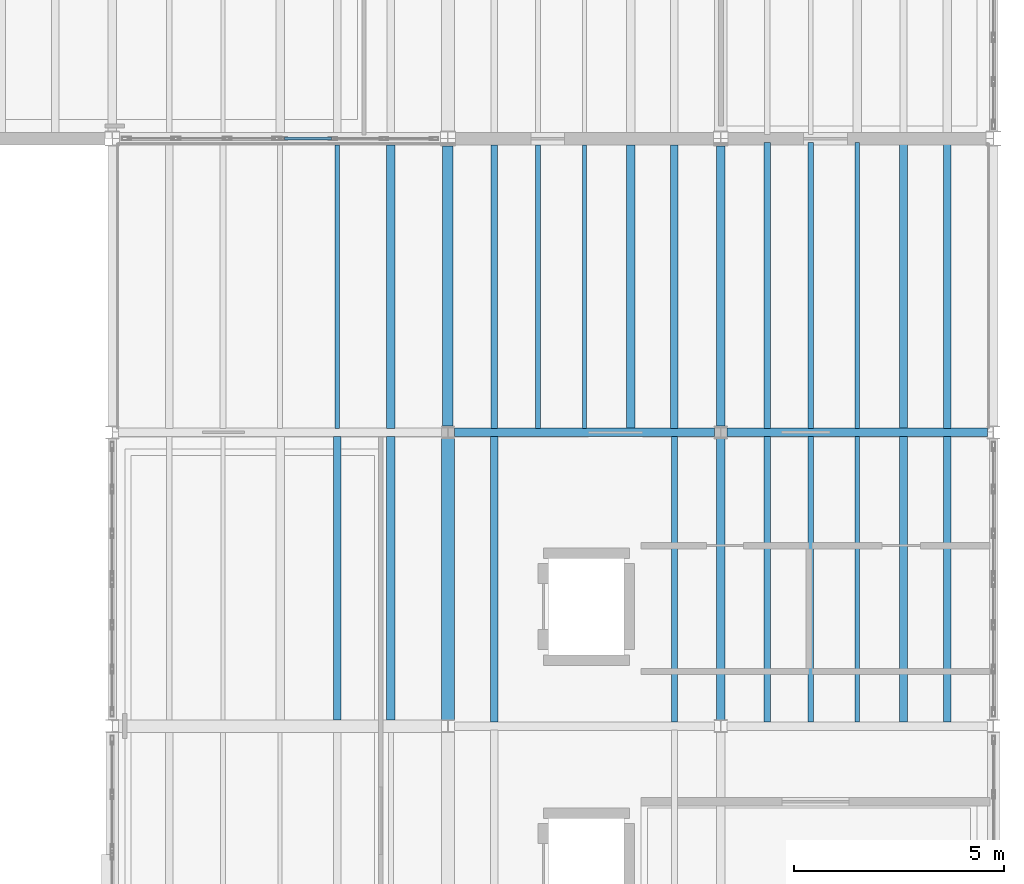
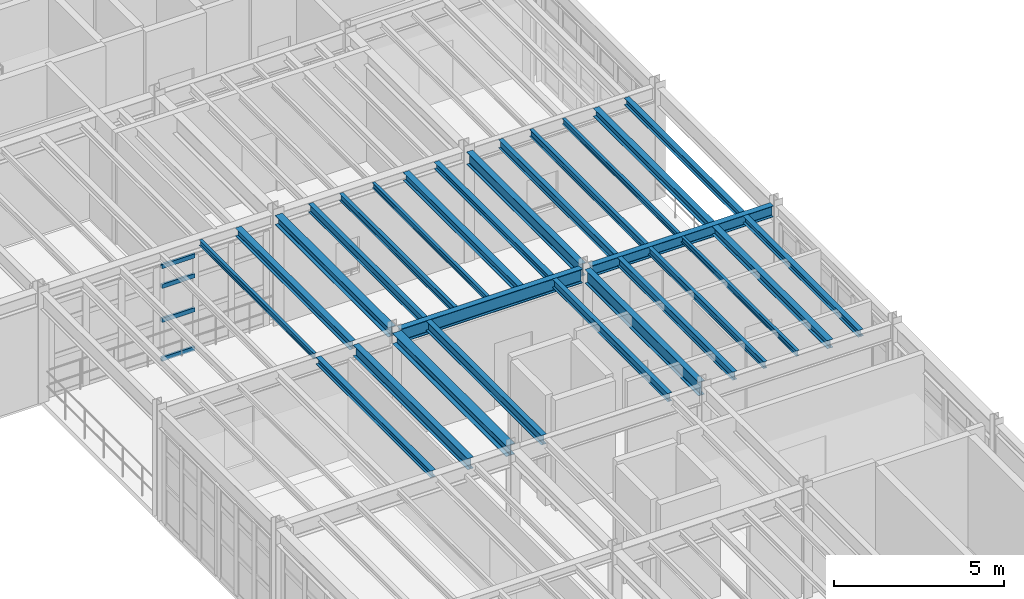
# One storey, part 13 of 27: 27 beams, 4 members, 1 element without a shape of its own.
"""IFC4 building model written with IfcOpenShell, lengths in metres."""

import ifcopenshell
import ifcopenshell.guid

model = None  # the IFC model being written
_history = None  # IfcOwnerHistory: only IFC2X3 demands one
_inside = {}  # id of a spatial element -> (the spatial element, [elements in it])
_under = {}  # id of a project, library or spatial element -> (it, [spatial elements below it])
_declared = {}  # id of a project -> (the project, [libraries it declares])
_typed = {}  # id of a type object -> (the type object, [elements of that type])
_made_of = {}  # id of a material, layer set ... -> (it, [elements and type objects made of it])


def new_model(schema):
    """Start an empty IFC model of exactly this schema.

    Asked for "IFC4X3", IfcOpenShell would pick the latest addendum, in which some entities
    have other attributes; the version numbers below select the first issue.
    IFC2X3 requires an IfcOwnerHistory on every rooted entity: one is made here for all.
    """
    global model, _history
    if schema == "IFC4X3":
        model = ifcopenshell.file(schema_version=(4, 3, 0, 0))
    else:
        model = ifcopenshell.file(schema=schema)
    _inside.clear()
    _under.clear()
    _declared.clear()
    _typed.clear()
    _made_of.clear()
    _history = None
    if model.schema == "IFC2X3":
        org = make("IfcOrganization", Name="unknown")
        user = make(
            "IfcPersonAndOrganization",
            ThePerson=make("IfcPerson", FamilyName="unknown"),
            TheOrganization=org,
        )
        app = make(
            "IfcApplication",
            ApplicationDeveloper=org,
            Version="unknown",
            ApplicationFullName="unknown",
            ApplicationIdentifier="unknown",
        )
        _history = make(
            "IfcOwnerHistory",
            OwningUser=user,
            OwningApplication=app,
            ChangeAction="ADDED",
            CreationDate=0,
        )
    return model


def make(cls, **values):
    """One entity of the class cls with the attributes given. An attribute that is None is left unset."""
    return model.create_entity(
        cls, **{name: value for name, value in values.items() if value is not None}
    )


def rooted(cls, **values):
    """An entity with a GlobalId (a new one), such as an element, a storey or a relation."""
    return make(cls, GlobalId=ifcopenshell.guid.new(), OwnerHistory=_history, **values)


def si_unit(unit_type, name, prefix=None):
    """IfcSIUnit, for example si_unit("LENGTHUNIT", "METRE", prefix="MILLI")."""
    return make("IfcSIUnit", UnitType=unit_type, Prefix=prefix, Name=name)


def assignment(units):
    """IfcUnitAssignment: the units of a project."""
    return None if units is None else make("IfcUnitAssignment", Units=units)


def point(xyz):
    """IfcCartesianPoint."""
    return None if xyz is None else make("IfcCartesianPoint", Coordinates=xyz)


def direction(xyz):
    """IfcDirection."""
    return None if xyz is None else make("IfcDirection", DirectionRatios=xyz)


def frame(location, z_axis=None, x_axis=None):
    """IfcAxis2Placement3D, a coordinate frame: its origin and axes. An axis left out is left unset."""
    return make(
        "IfcAxis2Placement3D",
        Location=point(location),
        Axis=direction(z_axis),
        RefDirection=direction(x_axis),
    )


def frame_2d(location, x_axis=None):
    """IfcAxis2Placement2D, a coordinate frame in the plane: its origin and x axis."""
    return make(
        "IfcAxis2Placement2D", Location=point(location), RefDirection=direction(x_axis)
    )


def origin():
    """The frame at (0, 0, 0) with its axes left unset."""
    return frame((0.0, 0.0, 0.0))


def origin_2d():
    """The frame at (0, 0) in the plane with its x axis left unset."""
    return frame_2d((0.0, 0.0))


def place(relative_to, where):
    """IfcLocalPlacement: puts the frame where relative to a parent placement (None: the world)."""
    return make(
        "IfcLocalPlacement", PlacementRelTo=relative_to, RelativePlacement=where
    )


def context(
    kind, dimensions, precision=None, world=None, true_north=None, identifier=None
):
    """IfcGeometricRepresentationContext, for example the 3D "Model" context."""
    return make(
        "IfcGeometricRepresentationContext",
        ContextIdentifier=identifier,
        ContextType=kind,
        CoordinateSpaceDimension=dimensions,
        Precision=precision,
        WorldCoordinateSystem=world,
        TrueNorth=true_north,
    )


def subcontext(parent, identifier, kind, view, scale=None):
    """IfcGeometricRepresentationSubContext, for example "Body" below "Model"."""
    return make(
        "IfcGeometricRepresentationSubContext",
        ContextIdentifier=identifier,
        ContextType=kind,
        ParentContext=parent,
        TargetScale=scale,
        TargetView=view,
    )


def project(units=None, contexts=None):
    """IfcProject with its units and contexts."""
    return rooted(
        "IfcProject",
        Name="project",
        RepresentationContexts=contexts,
        UnitsInContext=assignment(units),
    )


def spatial(cls, under=None, at=None, **own):
    """A site, building, storey or space (cls), placed at a placement, below another one or the project."""
    s = rooted(cls, ObjectPlacement=at, **own)
    if under is not None:
        _under.setdefault(under.id(), (under, []))[1].append(s)
    return s


def profile(cls, at=None, kind="AREA", **sizes):
    """A parametric profile (cls). Its sizes go by their IFC names, for example OverallWidth=200.0."""
    return make(cls, ProfileType=kind, Position=at, **sizes)


def hollow_rectangle(**sizes):
    """IfcRectangleHollowProfileDef."""
    return profile("IfcRectangleHollowProfileDef", **sizes)


def i_section(**sizes):
    """IfcIShapeProfileDef."""
    return profile("IfcIShapeProfileDef", **sizes)


def extrude(swept, where, along, depth):
    """IfcExtrudedAreaSolid: the profile swept, set in the frame where, extruded along a direction by depth."""
    return make(
        "IfcExtrudedAreaSolid",
        SweptArea=swept,
        Position=where,
        ExtrudedDirection=direction(along),
        Depth=depth,
    )


def shape(context_of_items, identifier, shape_type, items):
    """IfcShapeRepresentation: the items that make up one representation, for example the "Body"."""
    return make(
        "IfcShapeRepresentation",
        ContextOfItems=context_of_items,
        RepresentationIdentifier=identifier,
        RepresentationType=shape_type,
        Items=items,
    )


def material(Name=None, Category=None):
    """IfcMaterial."""
    return make("IfcMaterial", Name=Name, Category=Category)


def material_profile(
    of_material, cross_section, Name=None, Category=None, Priority=None
):
    """IfcMaterialProfile: a cross section and its material."""
    return make(
        "IfcMaterialProfile",
        Name=Name,
        Material=of_material,
        Profile=cross_section,
        Priority=Priority,
        Category=Category,
    )


def profile_set(profiles, Name=None, composite=None):
    """IfcMaterialProfileSet."""
    return make(
        "IfcMaterialProfileSet",
        Name=Name,
        MaterialProfiles=profiles,
        CompositeProfile=composite,
    )


def made_of(thing, what):
    """Note that an element or type object is made of a material, layer set ...; save() writes the relation."""
    if what is not None:
        _made_of.setdefault(what.id(), (what, []))[1].append(thing)
    return thing


def type_object(cls, material=None, **own):
    """A type object (cls), such as IfcWallType, which elements share."""
    return made_of(rooted(cls, **own), material)


def element(
    cls,
    number,
    at=None,
    inside=None,
    cuts=None,
    type_object=None,
    material=None,
    context=None,
    identifier="Body",
    shape_type=None,
    held_by="IfcProductDefinitionShape",
    body=None,
    shapes=None,
    **own,
):
    """One element of the class cls, such as IfcWall. Its Tag is "e" and its number.

    at: its placement. inside: the storey or other place that contains it. cuts: it is an
    opening in that element (IfcRelVoidsElement). A single representation is given by context,
    identifier, shape_type and body (its items); several are given by shapes. held_by: the class
    of the entity that holds the representations. save() writes the other relations.
    """
    e = rooted(cls, Tag="e%d" % number, ObjectPlacement=at, **own)
    if body is not None:
        shapes = [shape(context, identifier, shape_type, body)]
    if shapes is not None:
        e.Representation = make(held_by, Representations=shapes)
    if inside is not None:
        _inside.setdefault(inside.id(), (inside, []))[1].append(e)
    if cuts is not None:
        rooted(
            "IfcRelVoidsElement", RelatingBuildingElement=cuts, RelatedOpeningElement=e
        )
    if type_object is not None:
        _typed.setdefault(type_object.id(), (type_object, []))[1].append(e)
    return made_of(e, material)


def aggregate(whole, parts):
    """IfcRelAggregates: a whole, such as a stair, and the parts it consists of."""
    return rooted("IfcRelAggregates", RelatingObject=whole, RelatedObjects=parts)


def save(model, path):
    """Write the relations noted so far, then the file.

    IfcRelAggregates (storeys below a building ...), IfcRelContainedInSpatialStructure (elements
    in a storey), IfcRelDefinesByType, IfcRelAssociatesMaterial and IfcRelDeclares: one each for
    every whole, place, type object, material and project.
    """
    for whole, parts in _under.values():
        aggregate(whole, parts)
    for where, things in _inside.values():
        rooted(
            "IfcRelContainedInSpatialStructure",
            RelatedElements=things,
            RelatingStructure=where,
        )
    for kind, things in _typed.values():
        rooted("IfcRelDefinesByType", RelatedObjects=things, RelatingType=kind)
    for what, things in _made_of.values():
        rooted("IfcRelAssociatesMaterial", RelatedObjects=things, RelatingMaterial=what)
    for by, libraries in _declared.values():
        rooted("IfcRelDeclares", RelatingContext=by, RelatedDefinitions=libraries)
    model.write(path)


model = new_model("IFC4")

# Units and contexts
model_context = context("Model", 3, precision=1e-05, world=origin(), true_north=direction((0.0, 1.0)))
body_context = subcontext(model_context, "Body", "Model", "MODEL_VIEW")
ifc_project = project(units=[si_unit("LENGTHUNIT", "METRE"), si_unit("AREAUNIT", "SQUARE_METRE"), si_unit("VOLUMEUNIT", "CUBIC_METRE"), si_unit("PLANEANGLEUNIT", "RADIAN"), si_unit("MASSUNIT", "GRAM", prefix="KILO"), si_unit("THERMODYNAMICTEMPERATUREUNIT", "KELVIN"), si_unit("POWERUNIT", "WATT")], contexts=[model_context])

# Site, building, storey
site_placement = place(None, origin())
site = spatial("IfcSite", under=ifc_project, at=site_placement, CompositionType="ELEMENT")
building_placement = place(site_placement, origin())
building = spatial("IfcBuilding", under=site, at=building_placement, Name="Zhenchuan Central Fire Station", CompositionType="ELEMENT")
storey_placement = place(building_placement, frame((0.0, 0.0, 14.25)))
storey = spatial("IfcBuildingStorey", under=building, at=storey_placement, Name="L04", CompositionType="ELEMENT", Elevation=14.25)

# Beams
ifc_material_1 = material(Name="Steel Q355B", Category="steel")
ifc_material_profile_1 = material_profile(ifc_material_1, i_section(OverallWidth=0.25, OverallDepth=0.340087890625, WebThickness=0.009033203125, FlangeThickness=0.013916015625, FilletRadius=0.01806640625, at=origin_2d()), Name="HM 340x250")
ifc_profile_set_1 = profile_set([ifc_material_profile_1], Name="Steel Q355B")
beam_type_1 = type_object("IfcBeamType", Name="BM-HM340", PredefinedType="BEAM", material=ifc_profile_set_1)
beam_1_placement = place(storey_placement, frame((148.0, 35.64990234375, 3.81005859375), z_axis=(0.0, 1.0, 0.0), x_axis=(-1.0, 0.0, 0.0)))
element("IfcBeam", 1, at=beam_1_placement, inside=storey, type_object=beam_type_1, Name="L05 Girder NS 0471", PredefinedType="BEAM", context=body_context, shape_type="SweptSolid", body=[
    extrude(i_section(OverallWidth=0.25, OverallDepth=0.340087890625, WebThickness=0.009033203125, FlangeThickness=0.013916015625, FilletRadius=0.01806640625, at=origin_2d()), origin(), (0.0, 0.0, 1.0), 6.675048828125),
])
ifc_material_profile_2 = material_profile(ifc_material_1, i_section(OverallWidth=0.300048828125, OverallDepth=0.389892578125, WebThickness=0.010009765625, FlangeThickness=0.01611328125, FilletRadius=0.02001953125, at=origin_2d()), Name="HM 390x300")
ifc_profile_set_2 = profile_set([ifc_material_profile_2], Name="Steel Q355B")
beam_type_2 = type_object("IfcBeamType", Name="BM-HM390-INT", PredefinedType="BEAM", material=ifc_profile_set_2)
beam_2_placement = place(storey_placement, frame((148.0, 28.64990234375, 3.784912109375), z_axis=(0.0, 1.0, 0.0), x_axis=(-1.0, 0.0, 0.0)))
element("IfcBeam", 2, at=beam_2_placement, inside=storey, type_object=beam_type_2, Name="L05 Girder NS 0470", PredefinedType="BEAM", context=body_context, shape_type="SweptSolid", body=[
    extrude(i_section(OverallWidth=0.300048828125, OverallDepth=0.389892578125, WebThickness=0.010009765625, FlangeThickness=0.01611328125, FilletRadius=0.02001953125, at=origin_2d()), origin(), (0.0, 0.0, 1.0), 6.7001953125),
])
ifc_material_profile_3 = material_profile(ifc_material_1, i_section(OverallWidth=0.199951171875, OverallDepth=0.449951171875, WebThickness=0.009033203125, FlangeThickness=0.013916015625, FilletRadius=0.01806640625, at=origin_2d()), Name="HN 450x200")
ifc_profile_set_3 = profile_set([ifc_material_profile_3], Name="Steel Q355B")
beam_type_3 = type_object("IfcBeamType", Name="BM-HN450", PredefinedType="BEAM", material=ifc_profile_set_3)
beam_3_placement = place(storey_placement, frame((154.5, 35.64990234375, 3.7548828125), z_axis=(0.0, 1.0, 0.0), x_axis=(-1.0, 0.0, 0.0)))
element("IfcBeam", 3, at=beam_3_placement, inside=storey, type_object=beam_type_3, Name="L05 Girder NS 0478", PredefinedType="BEAM", context=body_context, shape_type="SweptSolid", body=[
    extrude(i_section(OverallWidth=0.199951171875, OverallDepth=0.449951171875, WebThickness=0.009033203125, FlangeThickness=0.013916015625, FilletRadius=0.01806640625, at=origin_2d()), origin(), (0.0, 0.0, 1.0), 6.675048828125),
])
ifc_material_profile_4 = material_profile(ifc_material_1, i_section(OverallWidth=0.199951171875, OverallDepth=0.5, WebThickness=0.010009765625, FlangeThickness=0.01611328125, FilletRadius=0.02001953125, at=origin_2d()), Name="HN 500x200")
ifc_profile_set_4 = profile_set([ifc_material_profile_4], Name="Steel Q355B")
beam_type_4 = type_object("IfcBeamType", Name="BM-HN500-INT", PredefinedType="BEAM", material=ifc_profile_set_4)
beam_4_placement = place(storey_placement, frame((148.14990234375, 35.5, 3.72998046875), z_axis=(1.0, 0.0, 0.0), x_axis=(0.0, 1.0, 0.0)))
element("IfcBeam", 4, at=beam_4_placement, inside=storey, type_object=beam_type_4, Name="L05 Girder EW 0444", PredefinedType="BEAM", context=body_context, shape_type="SweptSolid", body=[
    extrude(i_section(OverallWidth=0.199951171875, OverallDepth=0.5, WebThickness=0.010009765625, FlangeThickness=0.01611328125, FilletRadius=0.02001953125, at=origin_2d()), origin(), (0.0, 0.0, 1.0), 6.2001953125),
])
beam_5_placement = place(storey_placement, frame((154.5, 28.64990234375, 3.72998046875), z_axis=(0.0, 1.0, 0.0), x_axis=(-1.0, 0.0, 0.0)))
element("IfcBeam", 5, at=beam_5_placement, inside=storey, type_object=beam_type_4, Name="L05 Girder NS 0477", PredefinedType="BEAM", context=body_context, shape_type="SweptSolid", body=[
    extrude(i_section(OverallWidth=0.199951171875, OverallDepth=0.5, WebThickness=0.010009765625, FlangeThickness=0.01611328125, FilletRadius=0.02001953125, at=origin_2d()), origin(), (0.0, 0.0, 1.0), 6.7001953125),
])

# Curtain wall, members
ifc_material_2 = material(Name="Anodised aluminium and low-E glazing", Category="aluminium")
curtain_wall_type = type_object("IfcCurtainWallType", Name="CW-MOD-01", PredefinedType="USERDEFINED", material=ifc_material_2)
curtain_wall_placement = place(storey_placement, origin())
curtain_wall = element("IfcCurtainWall", 6, at=curtain_wall_placement, inside=storey, type_object=curtain_wall_type, Name="L04 Unitised Curtain Wall 149", ObjectType="UNITISED GLAZING", PredefinedType="USERDEFINED")
ifc_material_3 = material(Name="Anodised aluminium EN AW-6063", Category="aluminium")
ifc_material_profile_5 = material_profile(ifc_material_3, hollow_rectangle(XDim=0.074951171875, YDim=0.14990234375, WallThickness=0.0048828125, at=origin_2d()), Name="ALU-T 150x75")
ifc_profile_set_5 = profile_set([ifc_material_profile_5], Name="Anodised aluminium EN AW-6063")
member_type = type_object("IfcMemberType", Name="CW-TRN130", PredefinedType="NOTDEFINED", material=ifc_profile_set_5)
member_1_placement = place(storey_placement, frame((144.10302734375, 42.5, 0.028564453125), z_axis=(1.0, 0.0, 0.0), x_axis=(0.0, 1.0, 0.0)))
member_1 = element("IfcMember", 7, at=member_1_placement, type_object=member_type, Name="CW-01 transom 1.1", ObjectType="TRANSOM", PredefinedType="USERDEFINED", context=body_context, shape_type="SweptSolid", body=[
    extrude(hollow_rectangle(XDim=0.074951171875, YDim=0.14990234375, WallThickness=0.0048828125, at=origin_2d()), origin(), (0.0, 0.0, 1.0), 1.123046875),
])
member_2_placement = place(storey_placement, frame((144.10302734375, 42.5, 1.427978515625), z_axis=(1.0, 0.0, 0.0), x_axis=(0.0, 1.0, 0.0)))
member_2 = element("IfcMember", 8, at=member_2_placement, type_object=member_type, Name="CW-01 transom 1.2", ObjectType="TRANSOM", PredefinedType="USERDEFINED", context=body_context, shape_type="SweptSolid", body=[
    extrude(hollow_rectangle(XDim=0.074951171875, YDim=0.14990234375, WallThickness=0.0048828125, at=origin_2d()), origin(), (0.0, 0.0, 1.0), 1.123046875),
])
member_3_placement = place(storey_placement, frame((144.10302734375, 42.5, 2.652099609375), z_axis=(1.0, 0.0, 0.0), x_axis=(0.0, 1.0, 0.0)))
member_3 = element("IfcMember", 9, at=member_3_placement, type_object=member_type, Name="CW-01 transom 1.3", ObjectType="TRANSOM", PredefinedType="USERDEFINED", context=body_context, shape_type="SweptSolid", body=[
    extrude(hollow_rectangle(XDim=0.074951171875, YDim=0.14990234375, WallThickness=0.0048828125, at=origin_2d()), origin(), (0.0, 0.0, 1.0), 1.123046875),
])
member_4_placement = place(storey_placement, frame((144.10302734375, 42.5, 3.367431640625), z_axis=(1.0, 0.0, 0.0), x_axis=(0.0, 1.0, 0.0)))
member_4 = element("IfcMember", 10, at=member_4_placement, type_object=member_type, Name="CW-01 transom 1.4", ObjectType="TRANSOM", PredefinedType="USERDEFINED", context=body_context, shape_type="SweptSolid", body=[
    extrude(hollow_rectangle(XDim=0.074951171875, YDim=0.14990234375, WallThickness=0.0048828125, at=origin_2d()), origin(), (0.0, 0.0, 1.0), 1.123046875),
])
aggregate(curtain_wall, [member_1, member_2, member_3, member_4])

# Beams
ifc_material_profile_6 = material_profile(ifc_material_1, i_section(OverallWidth=0.175048828125, OverallDepth=0.243896484375, WebThickness=0.007080078125, FlangeThickness=0.010986328125, FilletRadius=0.012939453125, at=origin_2d()), Name="HM 244x175")
ifc_profile_set_6 = profile_set([ifc_material_profile_6], Name="Steel Q355B")
beam_type_5 = type_object("IfcBeamType", Name="JS-HM244", PredefinedType="JOIST", material=ifc_profile_set_6)
beam_6_placement = place(storey_placement, frame((145.360107421875, 28.64697265625, 3.85791015625), z_axis=(0.0, 1.0, 0.0), x_axis=(-1.0, 0.0, 0.0)))
element("IfcBeam", 11, at=beam_6_placement, inside=storey, type_object=beam_type_5, Name="L05 Secondary Joist 0742", PredefinedType="JOIST", context=body_context, shape_type="SweptSolid", body=[
    extrude(i_section(OverallWidth=0.175048828125, OverallDepth=0.243896484375, WebThickness=0.007080078125, FlangeThickness=0.010986328125, FilletRadius=0.012939453125, at=origin_2d()), origin(), (0.0, 0.0, 1.0), 6.756103515625),
])
beam_7_placement = place(storey_placement, frame((159.89501953125, 28.596923828125, 3.85791015625), z_axis=(0.0, 1.0, 0.0), x_axis=(-1.0, 0.0, 0.0)))
element("IfcBeam", 12, at=beam_7_placement, inside=storey, type_object=beam_type_5, Name="L05 Secondary Joist 0750", PredefinedType="JOIST", context=body_context, shape_type="SweptSolid", body=[
    extrude(i_section(OverallWidth=0.175048828125, OverallDepth=0.243896484375, WebThickness=0.007080078125, FlangeThickness=0.010986328125, FilletRadius=0.012939453125, at=origin_2d()), origin(), (0.0, 0.0, 1.0), 6.80615234375),
])
beam_8_placement = place(storey_placement, frame((153.39501953125, 35.596923828125, 3.85791015625), z_axis=(0.0, 1.0, 0.0), x_axis=(-1.0, 0.0, 0.0)))
element("IfcBeam", 13, at=beam_8_placement, inside=storey, type_object=beam_type_5, Name="L05 Secondary Joist 0760", PredefinedType="JOIST", context=body_context, shape_type="SweptSolid", body=[
    extrude(i_section(OverallWidth=0.175048828125, OverallDepth=0.243896484375, WebThickness=0.007080078125, FlangeThickness=0.010986328125, FilletRadius=0.012939453125, at=origin_2d()), origin(), (0.0, 0.0, 1.0), 6.756103515625),
])
beam_9_placement = place(storey_placement, frame((159.89501953125, 35.596923828125, 3.85791015625), z_axis=(0.0, 1.0, 0.0), x_axis=(-1.0, 0.0, 0.0)))
element("IfcBeam", 14, at=beam_9_placement, inside=storey, type_object=beam_type_5, Name="L05 Secondary Joist 0765", PredefinedType="JOIST", context=body_context, shape_type="SweptSolid", body=[
    extrude(i_section(OverallWidth=0.175048828125, OverallDepth=0.243896484375, WebThickness=0.007080078125, FlangeThickness=0.010986328125, FilletRadius=0.012939453125, at=origin_2d()), origin(), (0.0, 0.0, 1.0), 6.80615234375),
])
ifc_material_profile_7 = material_profile(ifc_material_1, i_section(OverallWidth=0.199951171875, OverallDepth=0.2939453125, WebThickness=0.008056640625, FlangeThickness=0.011962890625, FilletRadius=0.01611328125, at=origin_2d()), Name="HM 294x200")
ifc_profile_set_7 = profile_set([ifc_material_profile_7], Name="Steel Q355B")
beam_type_6 = type_object("IfcBeamType", Name="JS-HM294", PredefinedType="JOIST", material=ifc_profile_set_7)
beam_10_placement = place(storey_placement, frame((158.85498046875, 28.596923828125, 3.8330078125), z_axis=(0.0, 1.0, 0.0), x_axis=(-1.0, 0.0, 0.0)))
element("IfcBeam", 15, at=beam_10_placement, inside=storey, type_object=beam_type_6, Name="L05 Secondary Joist 0749", PredefinedType="JOIST", context=body_context, shape_type="SweptSolid", body=[
    extrude(i_section(OverallWidth=0.199951171875, OverallDepth=0.2939453125, WebThickness=0.008056640625, FlangeThickness=0.011962890625, FilletRadius=0.01611328125, at=origin_2d()), origin(), (0.0, 0.0, 1.0), 6.80615234375),
])
for number, where, z_axis, x_axis, name in (
    (16, (146.639892578125, 35.596923828125, 3.8330078125), (0.0, 1.0, 0.0), (-1.0, 0.0, 0.0), "L05 Secondary Joist 0755"),
    (17, (152.35498046875, 35.596923828125, 3.8330078125), (0.0, 1.0, 0.0), (-1.0, 0.0, 0.0), "L05 Secondary Joist 0759"),
):
    element("IfcBeam", number, at=place(storey_placement, frame(where, z_axis=z_axis, x_axis=x_axis)), inside=storey, type_object=beam_type_6, Name=name, PredefinedType="JOIST", context=body_context, shape_type="SweptSolid", body=[
        extrude(i_section(OverallWidth=0.199951171875, OverallDepth=0.2939453125, WebThickness=0.008056640625, FlangeThickness=0.011962890625, FilletRadius=0.01611328125, at=origin_2d()), origin(), (0.0, 0.0, 1.0), 6.756103515625),
    ])
beam_11_placement = place(storey_placement, frame((158.85498046875, 35.596923828125, 3.8330078125), z_axis=(0.0, 1.0, 0.0), x_axis=(-1.0, 0.0, 0.0)))
element("IfcBeam", 18, at=beam_11_placement, inside=storey, type_object=beam_type_6, Name="L05 Secondary Joist 0764", PredefinedType="JOIST", context=body_context, shape_type="SweptSolid", body=[
    extrude(i_section(OverallWidth=0.199951171875, OverallDepth=0.2939453125, WebThickness=0.008056640625, FlangeThickness=0.011962890625, FilletRadius=0.01611328125, at=origin_2d()), origin(), (0.0, 0.0, 1.0), 6.80615234375),
])
ifc_material_profile_8 = material_profile(ifc_material_1, i_section(OverallWidth=0.10009765625, OverallDepth=0.199951171875, WebThickness=0.005615234375, FlangeThickness=0.008056640625, FilletRadius=0.010986328125, at=origin_2d()), Name="HN 200x100")
ifc_profile_set_8 = profile_set([ifc_material_profile_8], Name="Steel Q355B")
beam_type_7 = type_object("IfcBeamType", Name="JS-HN200", PredefinedType="JOIST", material=ifc_profile_set_8)
beam_12_placement = place(storey_placement, frame((157.75, 28.596923828125, 3.8798828125), z_axis=(0.0, 1.0, 0.0), x_axis=(-1.0, 0.0, 0.0)))
element("IfcBeam", 19, at=beam_12_placement, inside=storey, type_object=beam_type_7, Name="L05 Secondary Joist 0748", PredefinedType="JOIST", context=body_context, shape_type="SweptSolid", body=[
    extrude(i_section(OverallWidth=0.10009765625, OverallDepth=0.199951171875, WebThickness=0.005615234375, FlangeThickness=0.008056640625, FilletRadius=0.010986328125, at=origin_2d()), origin(), (0.0, 0.0, 1.0), 6.80615234375),
])
for number, where, z_axis, x_axis, name in (
    (20, (145.360107421875, 35.596923828125, 3.8798828125), (0.0, 1.0, 0.0), (-1.0, 0.0, 0.0), "L05 Secondary Joist 0754"),
    (21, (151.25, 35.596923828125, 3.8798828125), (0.0, 1.0, 0.0), (-1.0, 0.0, 0.0), "L05 Secondary Joist 0758"),
):
    element("IfcBeam", number, at=place(storey_placement, frame(where, z_axis=z_axis, x_axis=x_axis)), inside=storey, type_object=beam_type_7, Name=name, PredefinedType="JOIST", context=body_context, shape_type="SweptSolid", body=[
        extrude(i_section(OverallWidth=0.10009765625, OverallDepth=0.199951171875, WebThickness=0.005615234375, FlangeThickness=0.008056640625, FilletRadius=0.010986328125, at=origin_2d()), origin(), (0.0, 0.0, 1.0), 6.756103515625),
    ])
beam_13_placement = place(storey_placement, frame((157.75, 35.596923828125, 3.8798828125), z_axis=(0.0, 1.0, 0.0), x_axis=(-1.0, 0.0, 0.0)))
element("IfcBeam", 22, at=beam_13_placement, inside=storey, type_object=beam_type_7, Name="L05 Secondary Joist 0763", PredefinedType="JOIST", context=body_context, shape_type="SweptSolid", body=[
    extrude(i_section(OverallWidth=0.10009765625, OverallDepth=0.199951171875, WebThickness=0.005615234375, FlangeThickness=0.008056640625, FilletRadius=0.010986328125, at=origin_2d()), origin(), (0.0, 0.0, 1.0), 6.80615234375),
])
ifc_material_profile_9 = material_profile(ifc_material_1, i_section(OverallWidth=0.125, OverallDepth=0.25, WebThickness=0.006103515625, FlangeThickness=0.009033203125, FilletRadius=0.011962890625, at=origin_2d()), Name="HN 250x125")
ifc_profile_set_9 = profile_set([ifc_material_profile_9], Name="Steel Q355B")
beam_type_8 = type_object("IfcBeamType", Name="JS-HN250", PredefinedType="JOIST", material=ifc_profile_set_9)
beam_14_placement = place(storey_placement, frame((156.64501953125, 28.596923828125, 3.85498046875), z_axis=(0.0, 1.0, 0.0), x_axis=(-1.0, 0.0, 0.0)))
element("IfcBeam", 23, at=beam_14_placement, inside=storey, type_object=beam_type_8, Name="L05 Secondary Joist 0747", PredefinedType="JOIST", context=body_context, shape_type="SweptSolid", body=[
    extrude(i_section(OverallWidth=0.125, OverallDepth=0.25, WebThickness=0.006103515625, FlangeThickness=0.009033203125, FilletRadius=0.011962890625, at=origin_2d()), origin(), (0.0, 0.0, 1.0), 6.80615234375),
])
beam_15_placement = place(storey_placement, frame((150.14501953125, 35.596923828125, 3.85498046875), z_axis=(0.0, 1.0, 0.0), x_axis=(-1.0, 0.0, 0.0)))
element("IfcBeam", 24, at=beam_15_placement, inside=storey, type_object=beam_type_8, Name="L05 Secondary Joist 0757", PredefinedType="JOIST", context=body_context, shape_type="SweptSolid", body=[
    extrude(i_section(OverallWidth=0.125, OverallDepth=0.25, WebThickness=0.006103515625, FlangeThickness=0.009033203125, FilletRadius=0.011962890625, at=origin_2d()), origin(), (0.0, 0.0, 1.0), 6.756103515625),
])
beam_16_placement = place(storey_placement, frame((156.64501953125, 35.596923828125, 3.85498046875), z_axis=(0.0, 1.0, 0.0), x_axis=(-1.0, 0.0, 0.0)))
element("IfcBeam", 25, at=beam_16_placement, inside=storey, type_object=beam_type_8, Name="L05 Secondary Joist 0762", PredefinedType="JOIST", context=body_context, shape_type="SweptSolid", body=[
    extrude(i_section(OverallWidth=0.125, OverallDepth=0.25, WebThickness=0.006103515625, FlangeThickness=0.009033203125, FilletRadius=0.011962890625, at=origin_2d()), origin(), (0.0, 0.0, 1.0), 6.80615234375),
])
ifc_material_profile_10 = material_profile(ifc_material_1, i_section(OverallWidth=0.14990234375, OverallDepth=0.300048828125, WebThickness=0.006591796875, FlangeThickness=0.009033203125, FilletRadius=0.012939453125, at=origin_2d()), Name="HN 300x150")
ifc_profile_set_10 = profile_set([ifc_material_profile_10], Name="Steel Q355B")
beam_type_9 = type_object("IfcBeamType", Name="JS-HN300", PredefinedType="JOIST", material=ifc_profile_set_10)
for number, where, z_axis, x_axis, name in (
    (26, (153.39501953125, 28.596923828125, 3.830078125), (0.0, 1.0, 0.0), (-1.0, 0.0, 0.0), "L05 Secondary Joist 0745"),
    (27, (155.60498046875, 28.596923828125, 3.830078125), (0.0, 1.0, 0.0), (-1.0, 0.0, 0.0), "L05 Secondary Joist 0746"),
):
    element("IfcBeam", number, at=place(storey_placement, frame(where, z_axis=z_axis, x_axis=x_axis)), inside=storey, type_object=beam_type_9, Name=name, PredefinedType="JOIST", context=body_context, shape_type="SweptSolid", body=[
        extrude(i_section(OverallWidth=0.14990234375, OverallDepth=0.300048828125, WebThickness=0.006591796875, FlangeThickness=0.009033203125, FilletRadius=0.012939453125, at=origin_2d()), origin(), (0.0, 0.0, 1.0), 6.80615234375),
    ])
beam_17_placement = place(storey_placement, frame((149.10498046875, 35.596923828125, 3.830078125), z_axis=(0.0, 1.0, 0.0), x_axis=(-1.0, 0.0, 0.0)))
element("IfcBeam", 28, at=beam_17_placement, inside=storey, type_object=beam_type_9, Name="L05 Secondary Joist 0756", PredefinedType="JOIST", context=body_context, shape_type="SweptSolid", body=[
    extrude(i_section(OverallWidth=0.14990234375, OverallDepth=0.300048828125, WebThickness=0.006591796875, FlangeThickness=0.009033203125, FilletRadius=0.012939453125, at=origin_2d()), origin(), (0.0, 0.0, 1.0), 6.756103515625),
])
beam_18_placement = place(storey_placement, frame((155.60498046875, 35.596923828125, 3.830078125), z_axis=(0.0, 1.0, 0.0), x_axis=(-1.0, 0.0, 0.0)))
element("IfcBeam", 29, at=beam_18_placement, inside=storey, type_object=beam_type_9, Name="L05 Secondary Joist 0761", PredefinedType="JOIST", context=body_context, shape_type="SweptSolid", body=[
    extrude(i_section(OverallWidth=0.14990234375, OverallDepth=0.300048828125, WebThickness=0.006591796875, FlangeThickness=0.009033203125, FilletRadius=0.012939453125, at=origin_2d()), origin(), (0.0, 0.0, 1.0), 6.80615234375),
])
ifc_material_profile_11 = material_profile(ifc_material_1, i_section(OverallWidth=0.175048828125, OverallDepth=0.35009765625, WebThickness=0.007080078125, FlangeThickness=0.010986328125, FilletRadius=0.013916015625, at=origin_2d()), Name="HN 350x175")
ifc_profile_set_11 = profile_set([ifc_material_profile_11], Name="Steel Q355B")
beam_type_10 = type_object("IfcBeamType", Name="JS-HN350", PredefinedType="JOIST", material=ifc_profile_set_11)
beam_19_placement = place(storey_placement, frame((149.10498046875, 28.596923828125, 3.804931640625), z_axis=(0.0, 1.0, 0.0), x_axis=(-1.0, 0.0, 0.0)))
element("IfcBeam", 30, at=beam_19_placement, inside=storey, type_object=beam_type_10, Name="L05 Secondary Joist 0744", PredefinedType="JOIST", context=body_context, shape_type="SweptSolid", body=[
    extrude(i_section(OverallWidth=0.175048828125, OverallDepth=0.35009765625, WebThickness=0.007080078125, FlangeThickness=0.010986328125, FilletRadius=0.013916015625, at=origin_2d()), origin(), (0.0, 0.0, 1.0), 6.80615234375),
])
ifc_material_profile_12 = material_profile(ifc_material_1, i_section(OverallWidth=0.199951171875, OverallDepth=0.39990234375, WebThickness=0.008056640625, FlangeThickness=0.012939453125, FilletRadius=0.01611328125, at=origin_2d()), Name="HN 400x200")
ifc_profile_set_12 = profile_set([ifc_material_profile_12], Name="Steel Q355B")
beam_type_11 = type_object("IfcBeamType", Name="JS-HN400", PredefinedType="JOIST", material=ifc_profile_set_12)
beam_20_placement = place(storey_placement, frame((146.639892578125, 28.64697265625, 3.780029296875), z_axis=(0.0, 1.0, 0.0), x_axis=(-1.0, 0.0, 0.0)))
element("IfcBeam", 31, at=beam_20_placement, inside=storey, type_object=beam_type_11, Name="L05 Secondary Joist 0743", PredefinedType="JOIST", context=body_context, shape_type="SweptSolid", body=[
    extrude(i_section(OverallWidth=0.199951171875, OverallDepth=0.39990234375, WebThickness=0.008056640625, FlangeThickness=0.012939453125, FilletRadius=0.01611328125, at=origin_2d()), origin(), (0.0, 0.0, 1.0), 6.756103515625),
])
ifc_material_profile_13 = material_profile(ifc_material_1, i_section(OverallWidth=0.199951171875, OverallDepth=0.39990234375, WebThickness=0.008056640625, FlangeThickness=0.012939453125, FilletRadius=0.01611328125, at=origin_2d()), Name="HN 400x200")
ifc_profile_set_13 = profile_set([ifc_material_profile_13], Name="Steel Q355B")
beam_type_12 = type_object("IfcBeamType", Name="SP-HN400-INT", PredefinedType="SPANDREL", material=ifc_profile_set_13)
beam_21_placement = place(storey_placement, frame((154.64990234375, 35.5, 3.780029296875), z_axis=(1.0, 0.0, 0.0), x_axis=(0.0, 1.0, 0.0)))
element("IfcBeam", 32, at=beam_21_placement, inside=storey, type_object=beam_type_12, Name="L05 Girder EW 0445", PredefinedType="SPANDREL", context=body_context, shape_type="SweptSolid", body=[
    extrude(i_section(OverallWidth=0.199951171875, OverallDepth=0.39990234375, WebThickness=0.008056640625, FlangeThickness=0.012939453125, FilletRadius=0.01611328125, at=origin_2d()), origin(), (0.0, 0.0, 1.0), 6.2001953125),
])

save(model, "model.ifc")
